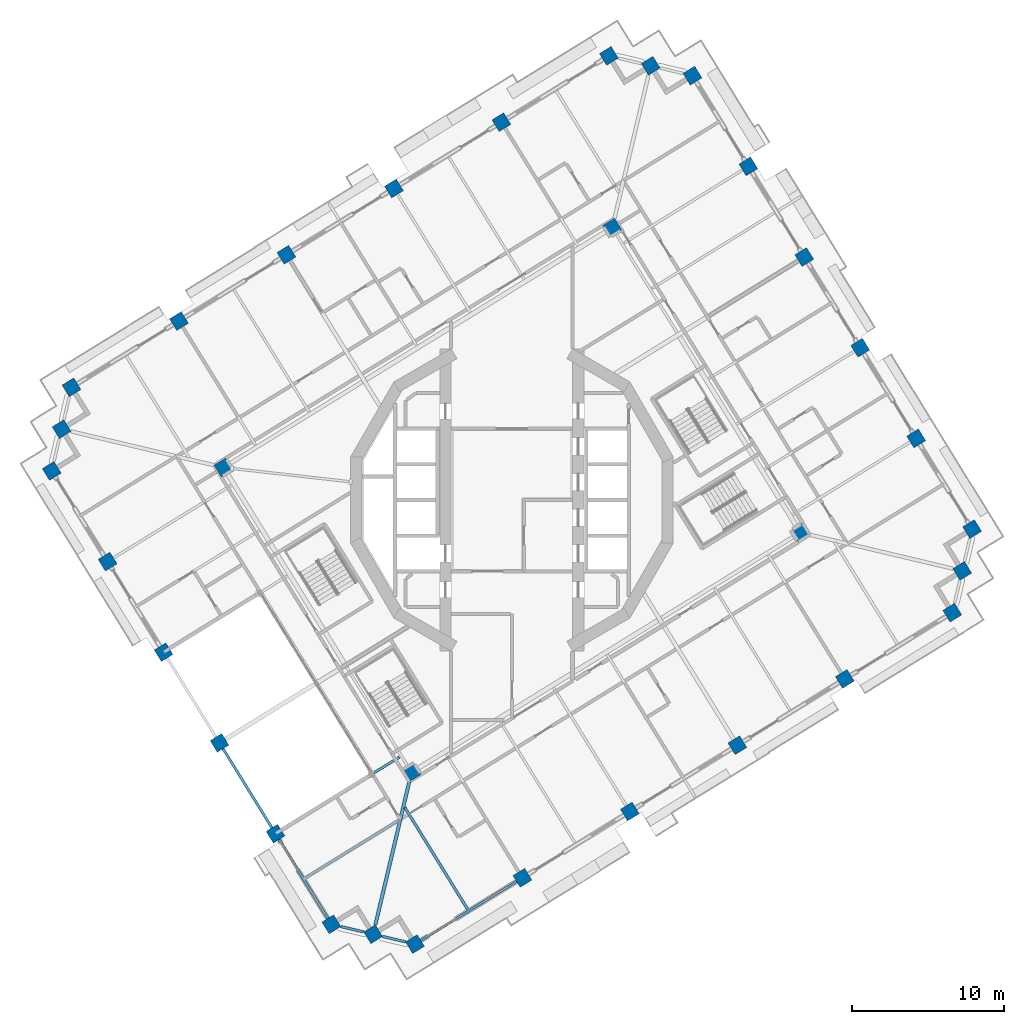
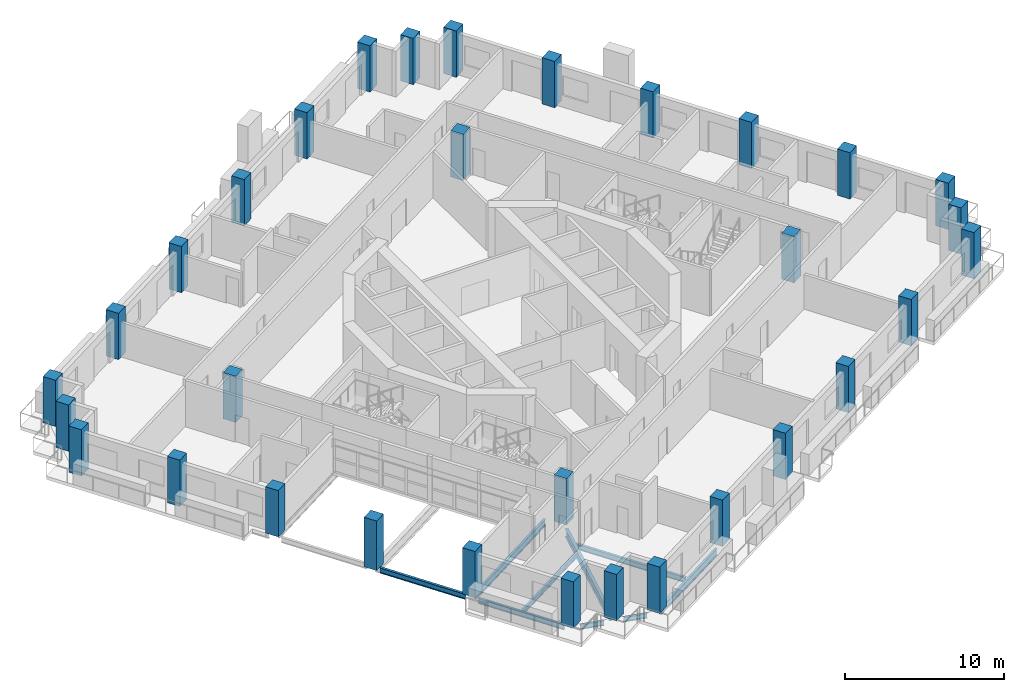
# One storey, part 1 of 22: 32 columns, 9 beams.
"""IFC4 building model written with IfcOpenShell, lengths in metres."""

from ifc_helpers import new_model, si_unit, direction, frame, origin, origin_2d, place, context, subcontext, project, spatial, rectangle, i_section, extrude, material, material_profile, profile_set, type_object, element, save


model = new_model("IFC4")

# Units and contexts
model_context = context("Model", 3, precision=1e-05, world=origin(), true_north=direction((0.0, 1.0)))
body_context = subcontext(model_context, "Body", "Model", "MODEL_VIEW")
ifc_project = project(units=[si_unit("LENGTHUNIT", "METRE"), si_unit("AREAUNIT", "SQUARE_METRE"), si_unit("VOLUMEUNIT", "CUBIC_METRE"), si_unit("PLANEANGLEUNIT", "RADIAN"), si_unit("MASSUNIT", "GRAM", prefix="KILO")], contexts=[model_context])

# Site, building, storey
site_placement = place(None, origin())
site = spatial("IfcSite", under=ifc_project, at=site_placement, CompositionType="ELEMENT")
building_placement = place(site_placement, origin())
building = spatial("IfcBuilding", under=site, at=building_placement, Name="Cantera Rosa Tower", CompositionType="ELEMENT")
storey_placement = place(building_placement, frame((0.0, 0.0, 166.60009765625)))
storey = spatial("IfcBuildingStorey", under=building, at=storey_placement, Name="L36", CompositionType="ELEMENT", Elevation=166.60009765625)

# Columns
ifc_material_1 = material(Name="Concrete C60/75", Category="concrete")
ifc_material_profile_1 = material_profile(ifc_material_1, rectangle(XDim=0.89990234375, YDim=0.89990234375, at=origin_2d()), Name="RC COLUMN RC900X900 C60/75")
ifc_profile_set_1 = profile_set([ifc_material_profile_1], Name="Concrete C60/75")
column_type_1 = type_object("IfcColumnType", Name="RC COLUMN RC900X900 C60/75", PredefinedType="COLUMN", material=ifc_profile_set_1)
for number, where, z_axis, x_axis, name in (
    (1, (30.321044921875, -1.917724609375, 0.0), (0.0, 0.0, 1.0), (0.851116672434, 0.52497658034, 0.0), "C-Z3-01 L36"),
    (2, (26.6357421875, 4.05712890625, 0.0), (0.0, 0.0, 1.0), (0.851116672434, 0.52497658034, 0.0), "C-Z3-02 L36"),
    (3, (22.950439453125, 10.031982421875, 0.0), (0.0, 0.0, 1.0), (0.851116672434, 0.52497658034, 0.0), "C-Z3-03 L36"),
    (4, (19.26513671875, 16.0068359375, 0.0), (0.0, 0.0, 1.0), (0.851116672434, 0.52497658034, 0.0), "C-Z3-04 L36"),
    (5, (15.57958984375, 21.981689453125, 0.0), (0.0, 0.0, 1.0), (0.851116672434, 0.52497658034, 0.0), "C-Z3-05 L36"),
    (6, (11.894287109375, 27.95654296875, 0.0), (0.0, 0.0, 1.0), (0.851116672434, 0.52497658034, 0.0), "C-Z3-06 L36"),
    (7, (9.14208984375, 28.60888671875, 0.0), (0.0, 0.0, 1.0), (0.851116672434, 0.52497658034, 0.0), "C-Z3-07 L36"),
    (8, (6.389892578125, 29.260986328125, 0.0), (0.0, 0.0, 1.0), (0.851116672434, 0.52497658034, 0.0), "C-Z3-08 L36"),
    (9, (-0.69140625, 24.893310546875, 0.0), (0.0, 0.0, 1.0), (0.851116672434, 0.52497658034, 0.0), "C-Z3-09 L36"),
    (10, (-7.772705078125, 20.525390625, 0.0), (0.0, 0.0, 1.0), (0.851116672434, 0.52497658034, 0.0), "C-Z3-10 L36"),
    (11, (-14.85400390625, 16.15771484375, 0.0), (0.0, 0.0, 1.0), (0.851116672434, 0.52497658034, 0.0), "C-Z3-11 L36"),
    (12, (-21.935302734375, 11.789794921875, 0.0), (0.0, 0.0, 1.0), (0.851116672434, 0.52497658034, 0.0), "C-Z3-12 L36"),
    (13, (-29.016357421875, 7.422119140625, 0.0), (0.0, 0.0, 1.0), (0.851116672434, 0.52497658034, 0.0), "C-Z3-13 L36"),
    (14, (-29.668701171875, 4.669921875, 0.0), (0.0, 0.0, 1.0), (0.851116672434, 0.52497658034, 0.0), "C-Z3-14 L36"),
    (15, (-30.321044921875, 1.917724609375, 0.0), (0.0, 0.0, 1.0), (0.851116672434, 0.52497658034, 0.0), "C-Z3-15 L36"),
    (16, (-26.6357421875, -4.05712890625, 0.0), (0.0, 0.0, 1.0), (0.851116672434, 0.52497658034, 0.0), "C-Z3-16 L36"),
    (17, (-22.950439453125, -10.031982421875, 0.0), (0.0, 0.0, 1.0), (0.851116672434, 0.52497658034, 0.0), "C-Z3-17 L36"),
):
    element("IfcColumn", number, at=place(storey_placement, frame(where, z_axis=z_axis, x_axis=x_axis)), inside=storey, type_object=column_type_1, Name=name, PredefinedType="COLUMN", context=body_context, shape_type="SweptSolid", body=[
        extrude(rectangle(XDim=0.89990234375, YDim=0.89990234375, at=origin_2d()), origin(), (0.0, 0.0, 1.0), 3.5498046875),
    ])
column_placement = place(storey_placement, frame((-19.26513671875, -16.0068359375, -0.25), z_axis=(0.0, 0.0, 1.0), x_axis=(0.851116672434, 0.52497658034, 0.0)))
element("IfcColumn", 18, at=column_placement, inside=storey, type_object=column_type_1, Name="C-Z3-18 L36", PredefinedType="COLUMN", context=body_context, shape_type="SweptSolid", body=[
    extrude(rectangle(XDim=0.89990234375, YDim=0.89990234375, at=origin_2d()), origin(), (0.0, 0.0, 1.0), 3.7998046875),
])
for number, where, z_axis, x_axis, name in (
    (19, (-15.57958984375, -21.981689453125, 0.0), (0.0, 0.0, 1.0), (0.851116672434, 0.52497658034, 0.0), "C-Z3-19 L36"),
    (20, (-11.894287109375, -27.95654296875, 0.0), (0.0, 0.0, 1.0), (0.851116672434, 0.52497658034, 0.0), "C-Z3-20 L36"),
    (21, (-9.14208984375, -28.60888671875, 0.0), (0.0, 0.0, 1.0), (0.851116672434, 0.52497658034, 0.0), "C-Z3-21 L36"),
    (22, (-6.389892578125, -29.260986328125, 0.0), (0.0, 0.0, 1.0), (0.851116672434, 0.52497658034, 0.0), "C-Z3-22 L36"),
    (23, (0.69140625, -24.893310546875, 0.0), (0.0, 0.0, 1.0), (0.851116672434, 0.52497658034, 0.0), "C-Z3-23 L36"),
    (24, (7.772705078125, -20.525390625, 0.0), (0.0, 0.0, 1.0), (0.851116672434, 0.52497658034, 0.0), "C-Z3-24 L36"),
    (25, (14.85400390625, -16.15771484375, 0.0), (0.0, 0.0, 1.0), (0.851116672434, 0.52497658034, 0.0), "C-Z3-25 L36"),
    (26, (21.935302734375, -11.789794921875, 0.0), (0.0, 0.0, 1.0), (0.851116672434, 0.52497658034, 0.0), "C-Z3-26 L36"),
    (27, (29.016357421875, -7.422119140625, 0.0), (0.0, 0.0, 1.0), (0.851116672434, 0.52497658034, 0.0), "C-Z3-27 L36"),
    (28, (29.668701171875, -4.669921875, 0.0), (0.0, 0.0, 1.0), (0.851116672434, 0.52497658034, 0.0), "C-Z3-28 L36"),
):
    element("IfcColumn", number, at=place(storey_placement, frame(where, z_axis=z_axis, x_axis=x_axis)), inside=storey, type_object=column_type_1, Name=name, PredefinedType="COLUMN", context=body_context, shape_type="SweptSolid", body=[
        extrude(rectangle(XDim=0.89990234375, YDim=0.89990234375, at=origin_2d()), origin(), (0.0, 0.0, 1.0), 3.5498046875),
    ])
ifc_material_2 = material(Name="Concrete C60/75", Category="concrete")
ifc_material_profile_2 = material_profile(ifc_material_2, rectangle(XDim=0.89990234375, YDim=0.89990234375, at=origin_2d()), Name="RC RING COLUMN RC900X900 C60/75")
ifc_profile_set_2 = profile_set([ifc_material_profile_2], Name="Concrete C60/75")
column_type_2 = type_object("IfcColumnType", Name="RC RING COLUMN RC900X900 C60/75", PredefinedType="COLUMN", material=ifc_profile_set_2)
for number, where, z_axis, x_axis, name in (
    (29, (6.614501953125, 17.944091796875, 0.0), (0.0, 0.0, 1.0), (0.851116672434, 0.52497658034, 0.0), "CI-Z3-1 L36"),
    (30, (-19.004150390625, 2.142333984375, 0.0), (0.0, 0.0, 1.0), (0.851116672434, 0.52497658034, 0.0), "CI-Z3-2 L36"),
    (31, (-6.614501953125, -17.944091796875, 0.0), (0.0, 0.0, 1.0), (0.851116672434, 0.52497658034, 0.0), "CI-Z3-3 L36"),
    (32, (19.004150390625, -2.142333984375, 0.0), (0.0, 0.0, 1.0), (0.851116672434, 0.52497658034, 0.0), "CI-Z3-4 L36"),
):
    element("IfcColumn", number, at=place(storey_placement, frame(where, z_axis=z_axis, x_axis=x_axis)), inside=storey, type_object=column_type_2, Name=name, PredefinedType="COLUMN", context=body_context, shape_type="SweptSolid", body=[
        extrude(rectangle(XDim=0.89990234375, YDim=0.89990234375, at=origin_2d()), origin(), (0.0, 0.0, 1.0), 3.5498046875),
    ])

# Beams
ifc_material_3 = material(Name="Steel ASTM A992 (Fy 345 MPa)", Category="steel")
ifc_material_profile_3 = material_profile(ifc_material_3, i_section(OverallWidth=0.166015625, OverallDepth=0.528076171875, WebThickness=0.009765625, FlangeThickness=0.013671875, FilletRadius=0.0126953125, at=origin_2d()), Name="W530X74")
ifc_profile_set_3 = profile_set([ifc_material_profile_3], Name="Steel ASTM A992 (Fy 345 MPa)")
beam_type_1 = type_object("IfcBeamType", Name="STEEL BEAM W530X74", PredefinedType="BEAM", material=ifc_profile_set_3)
beam_1_placement = place(storey_placement, frame((-15.19677734375, -21.745361328125, -0.51416015625), z_axis=(0.851123779764, 0.524965057427, 0.0), x_axis=(-0.524965057427, 0.851123779764, 0.0)))
element("IfcBeam", 33, at=beam_1_placement, inside=storey, type_object=beam_type_1, Name="G-Z3-16 L36", PredefinedType="BEAM", context=body_context, shape_type="SweptSolid", body=[
    extrude(i_section(OverallWidth=0.166015625, OverallDepth=0.528076171875, WebThickness=0.009765625, FlangeThickness=0.013671875, FilletRadius=0.0126953125, at=origin_2d()), origin(), (0.0, 0.0, 1.0), 9.150146484375),
])
ifc_material_4 = material(Name="Steel ASTM A992 (Fy 345 MPa)", Category="steel")
ifc_material_profile_4 = material_profile(ifc_material_4, i_section(OverallWidth=0.22802734375, OverallDepth=0.60205078125, WebThickness=0.010498046875, FlangeThickness=0.014892578125, FilletRadius=0.0126953125, at=origin_2d()), Name="W610X101")
ifc_profile_set_4 = profile_set([ifc_material_profile_4], Name="Steel ASTM A992 (Fy 345 MPa)")
beam_type_2 = type_object("IfcBeamType", Name="STEEL BEAM W610X101", PredefinedType="BEAM", material=ifc_profile_set_4)
beam_2_placement = place(storey_placement, frame((-8.995361328125, -27.989501953125, -0.551025390625), z_axis=(0.230622120091, 0.973043389436, 0.0), x_axis=(-0.973043389436, 0.230622120091, 0.0)))
element("IfcBeam", 34, at=beam_2_placement, inside=storey, type_object=beam_type_2, Name="CB-Z3-03 L36", PredefinedType="BEAM", context=body_context, shape_type="SweptSolid", body=[
    extrude(i_section(OverallWidth=0.22802734375, OverallDepth=0.60205078125, WebThickness=0.010498046875, FlangeThickness=0.014892578125, FilletRadius=0.0126953125, at=origin_2d()), origin(), (0.0, 0.0, 1.0), 9.6875),
])
ifc_material_5 = material(Name="Steel ASTM A992 (Fy 345 MPa)", Category="steel")
ifc_material_profile_5 = material_profile(ifc_material_5, i_section(OverallWidth=0.1708984375, OverallDepth=0.35595703125, WebThickness=0.00732421875, FlangeThickness=0.01171875, FilletRadius=0.010009765625, at=origin_2d()), Name="W360X51")
ifc_profile_set_5 = profile_set([ifc_material_profile_5], Name="Steel ASTM A992 (Fy 345 MPa)")
beam_type_3 = type_object("IfcBeamType", Name="STEEL JOIST W360X51", PredefinedType="JOIST", material=ifc_profile_set_5)
beam_3_placement = place(storey_placement, frame((-13.609375, -24.890380859375, -0.427978515625), z_axis=(0.851109089911, 0.524988873283, 0.0), x_axis=(-0.524988873283, 0.851109089911, 0.0)))
element("IfcBeam", 35, at=beam_3_placement, inside=storey, type_object=beam_type_3, Name="B-Z3-20 L36", PredefinedType="JOIST", context=body_context, shape_type="SweptSolid", body=[
    extrude(i_section(OverallWidth=0.1708984375, OverallDepth=0.35595703125, WebThickness=0.00732421875, FlangeThickness=0.01171875, FilletRadius=0.010009765625, at=origin_2d()), origin(), (0.0, 0.0, 1.0), 7.2099609375),
])
ifc_material_6 = material(Name="Steel ASTM A992 (Fy 345 MPa)", Category="steel")
ifc_material_profile_6 = material_profile(ifc_material_6, i_section(OverallWidth=0.177978515625, OverallDepth=0.406005859375, WebThickness=0.0078125, FlangeThickness=0.0126953125, FilletRadius=0.01025390625, at=origin_2d()), Name="W410X60")
ifc_profile_set_6 = profile_set([ifc_material_profile_6], Name="Steel ASTM A992 (Fy 345 MPa)")
beam_type_4 = type_object("IfcBeamType", Name="STEEL JOIST W410X60", PredefinedType="JOIST", material=ifc_profile_set_6)
beam_4_placement = place(storey_placement, frame((-2.927978515625, -26.949462890625, -0.453125), z_axis=(-0.524994840515, 0.85110540912, 0.0), x_axis=(-0.85110540912, -0.524994840515, 0.0)))
element("IfcBeam", 36, at=beam_4_placement, inside=storey, type_object=beam_type_4, Name="B-Z3-11 L36", PredefinedType="JOIST", context=body_context, shape_type="SweptSolid", body=[
    extrude(i_section(OverallWidth=0.177978515625, OverallDepth=0.406005859375, WebThickness=0.0078125, FlangeThickness=0.0126953125, FilletRadius=0.01025390625, at=origin_2d()), origin(), (0.0, 0.0, 1.0), 7.860107421875),
])
ifc_material_7 = material(Name="Steel ASTM A992 (Fy 345 MPa)", Category="steel")
ifc_material_profile_7 = material_profile(ifc_material_7, i_section(OverallWidth=0.1708984375, OverallDepth=0.35595703125, WebThickness=0.00732421875, FlangeThickness=0.01171875, FilletRadius=0.010009765625, at=origin_2d()), Name="W360X51")
ifc_profile_set_7 = profile_set([ifc_material_profile_7], Name="Steel ASTM A992 (Fy 345 MPa)")
beam_type_5 = type_object("IfcBeamType", Name="STEEL SPANDREL BEAM W360X51", PredefinedType="SPANDREL", material=ifc_profile_set_7)
for number, where, z_axis, x_axis, name in (
    (37, (-11.275146484375, -28.103271484375, -0.427978515625), (0.973059906546, -0.230552419793, 0.0), (0.230552419793, 0.973059906546, 0.0), "EB-Z3-20 L36"),
    (38, (-8.52294921875, -28.755615234375, -0.427978515625), (0.973059906546, -0.230552419793, 0.0), (0.230552419793, 0.973059906546, 0.0), "EB-Z3-21 L36"),
):
    element("IfcBeam", number, at=place(storey_placement, frame(where, z_axis=z_axis, x_axis=x_axis)), inside=storey, type_object=beam_type_5, Name=name, PredefinedType="SPANDREL", context=body_context, shape_type="SweptSolid", body=[
        extrude(i_section(OverallWidth=0.1708984375, OverallDepth=0.35595703125, WebThickness=0.00732421875, FlangeThickness=0.01171875, FilletRadius=0.010009765625, at=origin_2d()), origin(), (0.0, 0.0, 1.0), 1.5556640625),
    ])
ifc_material_8 = material(Name="Steel ASTM A992 (Fy 345 MPa)", Category="steel")
ifc_material_profile_8 = material_profile(ifc_material_8, i_section(OverallWidth=0.177978515625, OverallDepth=0.406005859375, WebThickness=0.0078125, FlangeThickness=0.0126953125, FilletRadius=0.01025390625, at=origin_2d()), Name="W410X60")
ifc_profile_set_8 = profile_set([ifc_material_profile_8], Name="Steel ASTM A992 (Fy 345 MPa)")
beam_type_6 = type_object("IfcBeamType", Name="STEEL SPANDREL BEAM W410X60", PredefinedType="SPANDREL", material=ifc_profile_set_8)
for number, where, z_axis, x_axis, name in (
    (39, (-19.02880859375, -16.389892578125, -0.453125), (0.524987447654, -0.851109969279, 0.0), (0.851109969279, 0.524987447654, 0.0), "EB-Z3-18 L36"),
    (40, (-15.343505859375, -22.36474609375, -0.453125), (0.524987447654, -0.851109969279, 0.0), (0.851109969279, 0.524987447654, 0.0), "EB-Z3-19 L36"),
):
    element("IfcBeam", number, at=place(storey_placement, frame(where, z_axis=z_axis, x_axis=x_axis)), inside=storey, type_object=beam_type_6, Name=name, PredefinedType="SPANDREL", context=body_context, shape_type="SweptSolid", body=[
        extrude(i_section(OverallWidth=0.177978515625, OverallDepth=0.406005859375, WebThickness=0.0078125, FlangeThickness=0.0126953125, FilletRadius=0.01025390625, at=origin_2d()), origin(), (0.0, 0.0, 1.0), 6.119873046875),
    ])
ifc_material_9 = material(Name="Steel ASTM A992 (Fy 345 MPa)", Category="steel")
ifc_material_profile_9 = material_profile(ifc_material_9, i_section(OverallWidth=0.166015625, OverallDepth=0.528076171875, WebThickness=0.009765625, FlangeThickness=0.013671875, FilletRadius=0.0126953125, at=origin_2d()), Name="W530X74")
ifc_profile_set_9 = profile_set([ifc_material_profile_9], Name="Steel ASTM A992 (Fy 345 MPa)")
beam_type_7 = type_object("IfcBeamType", Name="STEEL SPANDREL BEAM W530X74", PredefinedType="SPANDREL", material=ifc_profile_set_9)
beam_5_placement = place(storey_placement, frame((-6.007080078125, -29.02490234375, -0.51416015625), z_axis=(0.851111085575, 0.524985637909, 0.0), x_axis=(-0.524985637909, 0.851111085575, 0.0)))
element("IfcBeam", 41, at=beam_5_placement, inside=storey, type_object=beam_type_7, Name="EB-Z3-22 L36", PredefinedType="SPANDREL", context=body_context, shape_type="SweptSolid", body=[
    extrude(i_section(OverallWidth=0.166015625, OverallDepth=0.528076171875, WebThickness=0.009765625, FlangeThickness=0.013671875, FilletRadius=0.0126953125, at=origin_2d()), origin(), (0.0, 0.0, 1.0), 7.420166015625),
])

save(model, "model.ifc")
